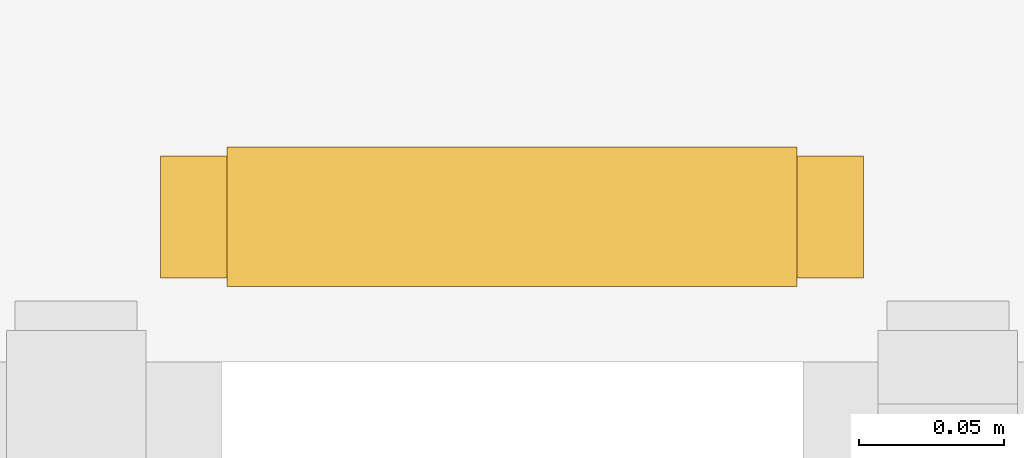
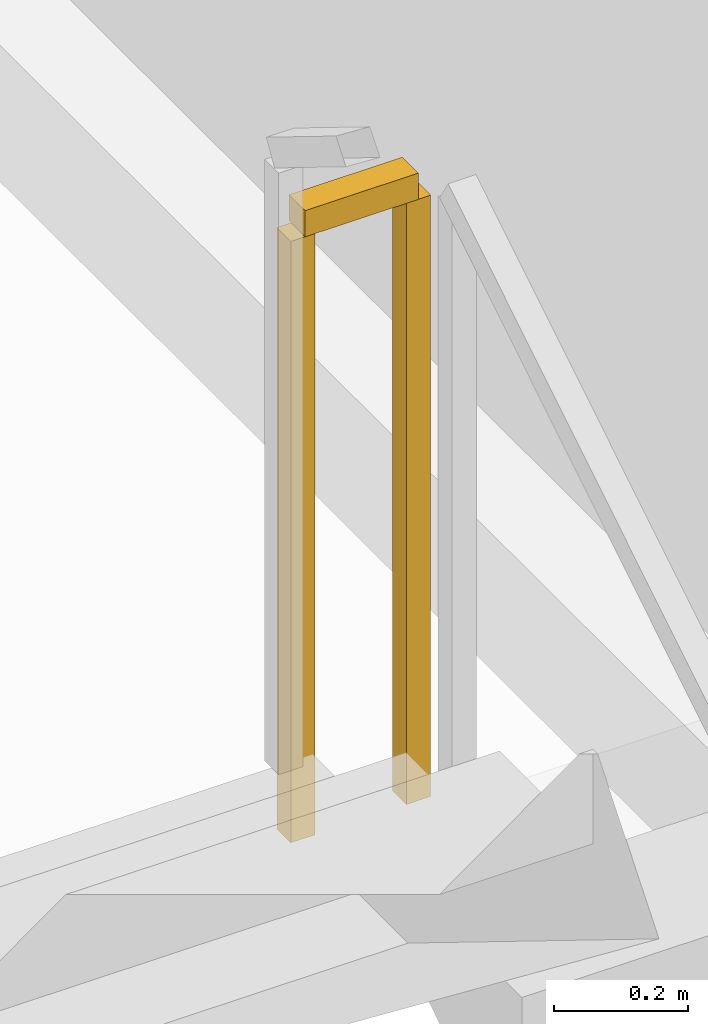
# One storey, part 26 of 26: 1 railing.
"""IFC4 building model written with IfcOpenShell, lengths in metres."""

from ifc_helpers import new_model, si_unit, direction, frame, origin, origin_2d, place, context, subcontext, project, spatial, rectangle, extrude, material, type_object, element, save


model = new_model("IFC4")

# Units and contexts
model_context = context("Model", 3, precision=1e-05, world=origin(), true_north=direction((0.0, 1.0)))
body_context = subcontext(model_context, "Body", "Model", "MODEL_VIEW")
ifc_project = project(units=[si_unit("LENGTHUNIT", "METRE"), si_unit("AREAUNIT", "SQUARE_METRE"), si_unit("VOLUMEUNIT", "CUBIC_METRE"), si_unit("PLANEANGLEUNIT", "RADIAN"), si_unit("MASSUNIT", "GRAM", prefix="KILO")], contexts=[model_context])

# Site, building, storey
site_placement = place(None, origin())
site = spatial("IfcSite", under=ifc_project, at=site_placement, CompositionType="ELEMENT")
building_placement = place(site_placement, origin())
building = spatial("IfcBuilding", under=site, at=building_placement, Name="Zuhravey Tower", CompositionType="ELEMENT")
storey_placement = place(building_placement, frame((0.0, 0.0, 211.199951171875)))
storey = spatial("IfcBuildingStorey", under=building, at=storey_placement, Name="L53", CompositionType="ELEMENT", Elevation=211.199951171875)

# Railing
ifc_material = material(Name="Painted tubular steel", Category="steel")
railing_type = type_object("IfcRailingType", Name="Stair Well Guardrail 1150", PredefinedType="GUARDRAIL", material=ifc_material)
railing_placement = place(storey_placement, frame((44.199951171875, 36.050048828125, 1.900146484375)))
element("IfcRailing", 1, at=railing_placement, inside=storey, type_object=railing_type, Name="L53 ST2 stair guard 2", PredefinedType="GUARDRAIL", context=body_context, shape_type="SweptSolid", body=[
    extrude(rectangle(XDim=0.048095703125, YDim=0.048095703125, at=origin_2d()), frame((-0.001953125, 0.0, 1.1259765625), z_axis=(-1.0, 0.0, 0.0), x_axis=(0.0, -1.0, 0.0)), (0.0, 0.0, 1.0), 0.196044921875),
    extrude(rectangle(XDim=0.0419921875, YDim=0.0419921875, at=origin_2d()), origin(), (0.0, 0.0, 1.0), 1.099853515625),
    extrude(rectangle(XDim=0.0419921875, YDim=0.0419921875, at=origin_2d()), frame((-0.199951171875, 0.0, 0.0)), (0.0, 0.0, 1.0), 1.099853515625),
])

save(model, "model.ifc")
